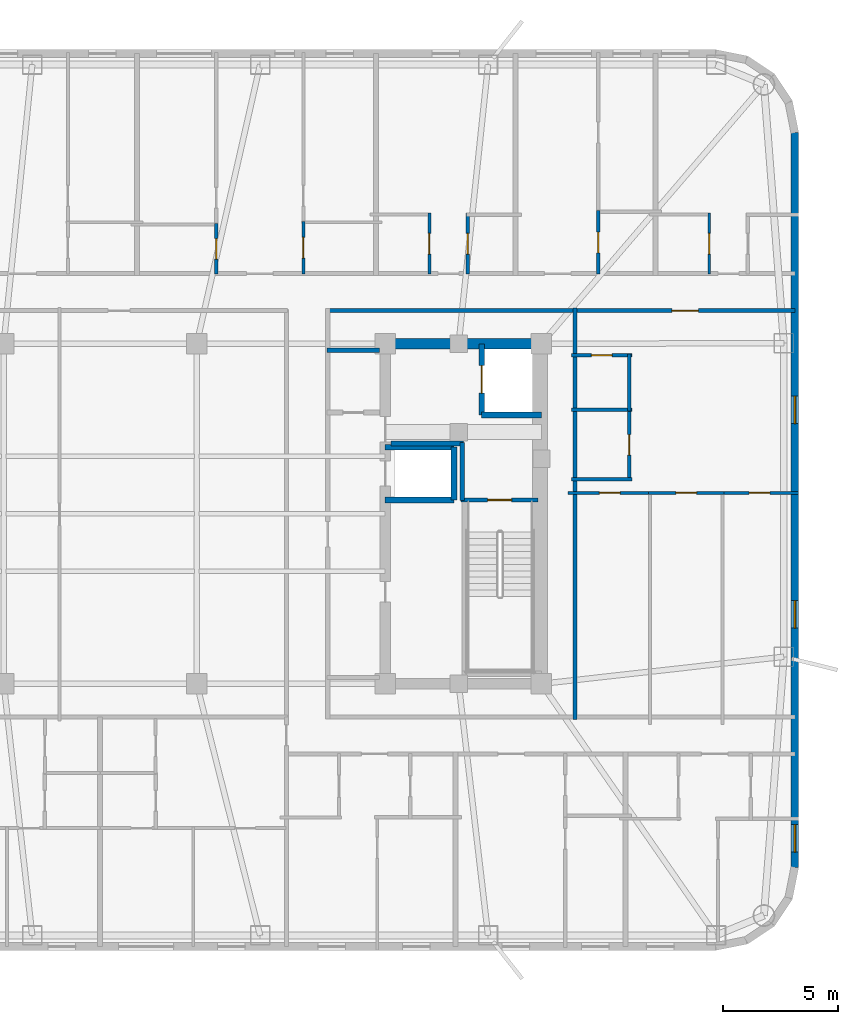
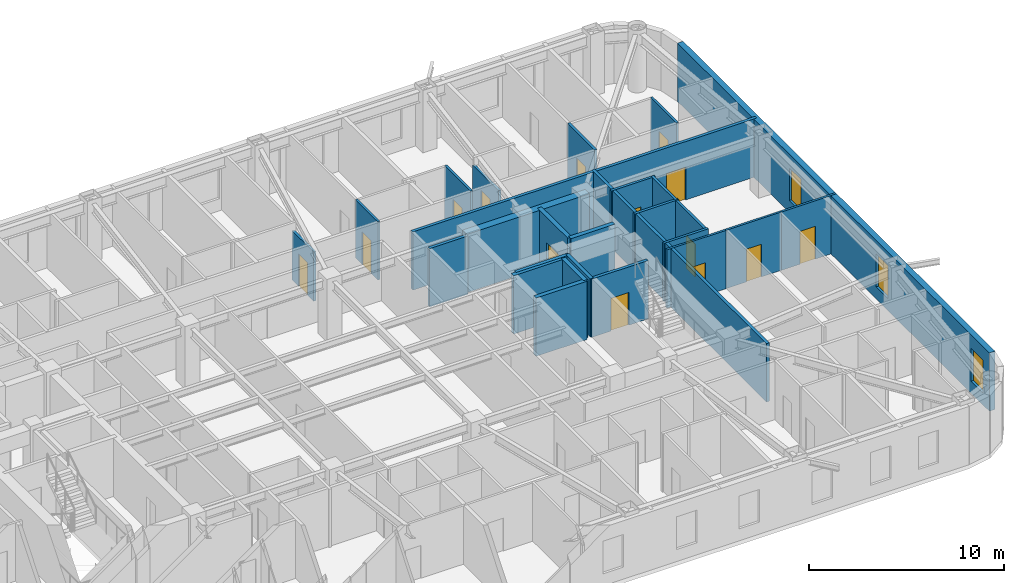
# One storey, part 7 of 11: 27 walls, 14 doors, 3 windows, 17 openings.
"""IFC4 building model written with IfcOpenShell, lengths in metres."""

from ifc_helpers import new_model, si_unit, direction, frame, frame_2d, origin, place, context, subcontext, project, spatial, rectangle, extrude, material, layer, layer_set, type_object, element, fill, save


model = new_model("IFC4")

# Units and contexts
model_context = context("Model", 3, precision=1e-05, world=origin(), true_north=direction((0.0, 1.0)))
body_context = subcontext(model_context, "Body", "Model", "MODEL_VIEW")
ifc_project = project(units=[si_unit("LENGTHUNIT", "METRE"), si_unit("AREAUNIT", "SQUARE_METRE"), si_unit("VOLUMEUNIT", "CUBIC_METRE"), si_unit("PLANEANGLEUNIT", "RADIAN"), si_unit("MASSUNIT", "GRAM", prefix="KILO")], contexts=[model_context])

# Site, building, storey
site_placement = place(None, origin())
site = spatial("IfcSite", under=ifc_project, at=site_placement, CompositionType="ELEMENT")
building_placement = place(site_placement, origin())
building = spatial("IfcBuilding", under=site, at=building_placement, Name="Voryun Gate Residences", CompositionType="ELEMENT")
storey_placement = place(building_placement, frame((0.0, 0.0, 227.5)))
storey = spatial("IfcBuildingStorey", under=building, at=storey_placement, Name="L56", CompositionType="ELEMENT", Elevation=227.5)

# Wall
ifc_material_1 = material(Name="Concrete C50/60", Category="concrete")
ifc_layer_1 = layer(ifc_material_1, 0.449951171875, Name="CW_CORE_450")
ifc_layer_set_1 = layer_set([ifc_layer_1], Name="Concrete C50/60")
wall_type_1 = type_object("IfcWallType", Name="CW_CORE_450", PredefinedType="SHEAR", material=ifc_layer_set_1)
wall_1_placement = place(storey_placement, frame((12.175048828125, 7.39990234375, 0.0), z_axis=(0.0, 0.0, 1.0), x_axis=(1.0, 0.0, 0.0)))
element("IfcWall", 1, at=wall_1_placement, inside=storey, type_object=wall_type_1, Name="L56 Core shear wall CW-L56-EN", PredefinedType="SHEAR", context=body_context, shape_type="SweptSolid", body=[
    extrude(rectangle(XDim=7.25, YDim=0.449951171875, at=frame_2d((3.625, 0.0))), origin(), (0.0, 0.0, 1.0), 3.64990234375),
])

# Wall, opening, door
ifc_material_2 = material(Name="Gypsum acoustic fireboard")
ifc_layer_2 = layer(ifc_material_2, 0.179931640625, Name="W_CORR_RATED_180")
ifc_layer_set_2 = layer_set([ifc_layer_2], Name="Gypsum acoustic fireboard")
wall_type_2 = type_object("IfcWallType", Name="W_CORR_RATED_180", PredefinedType="PARTITIONING", material=ifc_layer_set_2)
wall_2_placement = place(storey_placement, frame((15.699951171875, 0.60009765625, 0.0), z_axis=(0.0, 0.0, 1.0), x_axis=(1.0, 0.0, 0.0)))
wall_2 = element("IfcWall", 2, at=wall_2_placement, inside=storey, type_object=wall_type_2, Name="Partition wall WP-L56-STV-E", PredefinedType="PARTITIONING", context=body_context, shape_type="SweptSolid", body=[
    extrude(rectangle(XDim=3.360107421875, YDim=0.179931640625, at=frame_2d((1.68017578125, 0.0))), origin(), (0.0, 0.0, 1.0), 3.64990234375),
])
opening_1_placement = place(wall_2_placement, frame((1.155029296875, 0.0, 0.0)))
opening_1 = element("IfcOpeningElement", 3, at=opening_1_placement, cuts=wall_2, Name="Opening D-FD60-1", PredefinedType="OPENING", context=body_context, shape_type="SweptSolid", body=[
    extrude(rectangle(XDim=1.050048828125, YDim=2.050048828125, at=frame_2d((0.52490234375, 1.02490234375))), frame((0.0, 0.099853515625, 0.0), z_axis=(0.0, -1.0, 0.0), x_axis=(1.0, 0.0, 0.0)), (0.0, 0.0, 1.0), 0.199951171875),
])
ifc_material_3 = material(Name="Painted steel fire door", Category="steel")
door_type_1 = type_object("IfcDoorType", Name="DR_FD60_STAIR_1050", OperationType="NOTDEFINED", PredefinedType="DOOR", material=ifc_material_3)
door_1_placement = place(opening_1_placement, origin())
door_1 = element("IfcDoor", 4, at=door_1_placement, inside=storey, type_object=door_type_1, Name="Door DR-L56-ST-E", OperationType="SINGLE_SWING_RIGHT", OverallHeight=2.050048828125, OverallWidth=1.050048828125, PredefinedType="DOOR", context=body_context, shape_type="SweptSolid", body=[
    extrude(rectangle(XDim=1.050048828125, YDim=2.050048828125, at=frame_2d((0.52490234375, 1.02490234375))), frame((0.0, 0.02490234375, 0.0), z_axis=(0.0, -1.0, 0.0), x_axis=(1.0, 0.0, 0.0)), (0.0, 0.0, 1.0), 0.050048828125),
])
fill(opening_1, door_1)

# Wall
wall_3_placement = place(storey_placement, frame((9.8798828125, 7.1201171875, 0.0), z_axis=(0.0, 0.0, 1.0), x_axis=(1.0, 0.0, 0.0)))
element("IfcWall", 5, at=wall_3_placement, inside=storey, type_object=wall_type_2, Name="Partition wall WP-L56-PLBN-E", PredefinedType="PARTITIONING", context=body_context, shape_type="SweptSolid", body=[
    extrude(rectangle(XDim=2.27001953125, YDim=0.179931640625, at=frame_2d((1.135009765625, 0.0))), origin(), (0.0, 0.0, 1.0), 3.64990234375),
])

# Wall, opening, door
wall_4_placement = place(storey_placement, frame((9.8798828125, 8.840087890625, 0.0), z_axis=(0.0, 0.0, 1.0), x_axis=(1.0, 0.0, 0.0)))
wall_4 = element("IfcWall", 6, at=wall_4_placement, inside=storey, type_object=wall_type_2, Name="Partition wall WP-L56-CWING-EN", PredefinedType="PARTITIONING", context=body_context, shape_type="SweptSolid", body=[
    extrude(rectangle(XDim=20.35009765625, YDim=0.179931640625, at=frame_2d((10.175048828125, 0.0))), origin(), (0.0, 0.0, 1.0), 3.64990234375),
])
opening_2_placement = place(wall_4_placement, frame((15.0009765625, 0.0, 0.0)))
opening_2 = element("IfcOpeningElement", 7, at=opening_2_placement, cuts=wall_4, Name="Opening D-UNIT-1", PredefinedType="OPENING", context=body_context, shape_type="SweptSolid", body=[
    extrude(rectangle(XDim=1.14990234375, YDim=2.050048828125, at=frame_2d((0.574951171875, 1.02490234375))), frame((0.0, 0.099853515625, 0.0), z_axis=(0.0, -1.0, 0.0), x_axis=(1.0, 0.0, 0.0)), (0.0, 0.0, 1.0), 0.199951171875),
])
ifc_material_4 = material(Name="Armoured timber-clad fire door", Category="wood")
door_type_2 = type_object("IfcDoorType", Name="DR_UNIT_ENTRY_1150", OperationType="NOTDEFINED", PredefinedType="DOOR", material=ifc_material_4)
door_2_placement = place(opening_2_placement, origin())
door_2 = element("IfcDoor", 8, at=door_2_placement, inside=storey, type_object=door_type_2, Name="Door DR-L56-EE1N", OperationType="SINGLE_SWING_LEFT", OverallHeight=2.050048828125, OverallWidth=1.14990234375, PredefinedType="DOOR", context=body_context, shape_type="SweptSolid", body=[
    extrude(rectangle(XDim=1.14990234375, YDim=2.050048828125, at=frame_2d((0.574951171875, 1.02490234375))), frame((0.0, 0.02490234375, 0.0), z_axis=(0.0, -1.0, 0.0), x_axis=(1.0, 0.0, 0.0)), (0.0, 0.0, 1.0), 0.050048828125),
])
fill(opening_2, door_2)

# Wall
wall_5_placement = place(storey_placement, frame((20.669921875, -8.9599609375, 0.0), z_axis=(0.0, 0.0, 1.0), x_axis=(0.0, 1.0, 0.0)))
element("IfcWall", 9, at=wall_5_placement, inside=storey, type_object=wall_type_2, Name="Partition wall WP-L56-ECOR", PredefinedType="PARTITIONING", context=body_context, shape_type="SweptSolid", body=[
    extrude(rectangle(XDim=17.919921875, YDim=0.179931640625, at=frame_2d((8.9599609375, 0.0))), origin(), (0.0, 0.0, 1.0), 3.64990234375),
])

# Wall, openings, windows
ifc_material_5 = material(Name="Charcoal terracotta masonry", Category="masonry")
ifc_layer_3 = layer(ifc_material_5, 0.340087890625, Name="W_EXT_TERRACOTTA_340")
ifc_layer_set_3 = layer_set([ifc_layer_3], Name="Charcoal terracotta masonry")
wall_type_3 = type_object("IfcWallType", Name="W_EXT_TERRACOTTA_340", PredefinedType="ELEMENTEDWALL", material=ifc_layer_set_3)
wall_6_placement = place(storey_placement, frame((30.22998046875, 16.583251953125, 0.0), z_axis=(0.0, 0.0, 1.0), x_axis=(0.0, -1.0, 0.0)))
wall_6 = element("IfcWall", 10, at=wall_6_placement, inside=storey, type_object=wall_type_3, Name="Exterior wall WEXT-L56-16", PredefinedType="ELEMENTEDWALL", context=body_context, shape_type="SweptSolid", body=[
    extrude(rectangle(XDim=31.966552734375, YDim=0.340087890625, at=frame_2d((15.9833984375, 0.0))), origin(), (0.0, 0.0, 1.0), 3.64990234375),
])
opening_3_placement = place(wall_6_placement, frame((30.1064453125, 0.0, 0.75)))
opening_3 = element("IfcOpeningElement", 11, at=opening_3_placement, cuts=wall_6, Name="Opening WN6", PredefinedType="OPENING", context=body_context, shape_type="SweptSolid", body=[
    extrude(rectangle(XDim=1.199951171875, YDim=2.050048828125, at=frame_2d((0.60009765625, 1.02490234375))), frame((0.0, 0.179931640625, 0.0), z_axis=(0.0, -1.0, 0.0), x_axis=(1.0, 0.0, 0.0)), (0.0, 0.0, 1.0), 0.360107421875),
])
opening_4_placement = place(wall_6_placement, frame((11.46337890625, 0.0, 0.75)))
opening_4 = element("IfcOpeningElement", 12, at=opening_4_placement, cuts=wall_6, Name="Opening WN6", PredefinedType="OPENING", context=body_context, shape_type="SweptSolid", body=[
    extrude(rectangle(XDim=1.199951171875, YDim=2.050048828125, at=frame_2d((0.60009765625, 1.02490234375))), frame((0.0, 0.179931640625, 0.0), z_axis=(0.0, -1.0, 0.0), x_axis=(1.0, 0.0, 0.0)), (0.0, 0.0, 1.0), 0.360107421875),
])
opening_5_placement = place(wall_6_placement, frame((20.36328125, 0.0, 0.75)))
opening_5 = element("IfcOpeningElement", 13, at=opening_5_placement, cuts=wall_6, Name="Opening WN6", PredefinedType="OPENING", context=body_context, shape_type="SweptSolid", body=[
    extrude(rectangle(XDim=1.199951171875, YDim=2.050048828125, at=frame_2d((0.60009765625, 1.02490234375))), frame((0.0, 0.179931640625, 0.0), z_axis=(0.0, -1.0, 0.0), x_axis=(1.0, 0.0, 0.0)), (0.0, 0.0, 1.0), 0.360107421875),
])
ifc_material_6 = material(Name="Laminated low-E glass", Category="glass")
window_type = type_object("IfcWindowType", Name="WN_POD_SLOT_1200", PartitioningType="SINGLE_PANEL", PredefinedType="WINDOW", material=ifc_material_6)
window_1_placement = place(opening_3_placement, origin())
window_1 = element("IfcWindow", 14, at=window_1_placement, inside=storey, type_object=window_type, Name="Window WN-L56-DWFIX-22", OverallHeight=2.050048828125, OverallWidth=1.199951171875, PartitioningType="SINGLE_PANEL", PredefinedType="WINDOW", context=body_context, shape_type="SweptSolid", body=[
    extrude(rectangle(XDim=1.199951171875, YDim=2.050048828125, at=frame_2d((0.60009765625, 1.02490234375))), frame((0.0, 0.030029296875, 0.0), z_axis=(0.0, -1.0, 0.0), x_axis=(1.0, 0.0, 0.0)), (0.0, 0.0, 1.0), 0.06005859375),
])
fill(opening_3, window_1)
window_2_placement = place(opening_4_placement, origin())
window_2 = element("IfcWindow", 15, at=window_2_placement, inside=storey, type_object=window_type, Name="Window WN-L56-DWFIX-28", OverallHeight=2.050048828125, OverallWidth=1.199951171875, PartitioningType="SINGLE_PANEL", PredefinedType="WINDOW", context=body_context, shape_type="SweptSolid", body=[
    extrude(rectangle(XDim=1.199951171875, YDim=2.050048828125, at=frame_2d((0.60009765625, 1.02490234375))), frame((0.0, 0.030029296875, 0.0), z_axis=(0.0, -1.0, 0.0), x_axis=(1.0, 0.0, 0.0)), (0.0, 0.0, 1.0), 0.06005859375),
])
fill(opening_4, window_2)
window_3_placement = place(opening_5_placement, origin())
window_3 = element("IfcWindow", 16, at=window_3_placement, inside=storey, type_object=window_type, Name="Window WN-L56-DWFIX-29", OverallHeight=2.050048828125, OverallWidth=1.199951171875, PartitioningType="SINGLE_PANEL", PredefinedType="WINDOW", context=body_context, shape_type="SweptSolid", body=[
    extrude(rectangle(XDim=1.199951171875, YDim=2.050048828125, at=frame_2d((0.60009765625, 1.02490234375))), frame((0.0, 0.030029296875, 0.0), z_axis=(0.0, -1.0, 0.0), x_axis=(1.0, 0.0, 0.0)), (0.0, 0.0, 1.0), 0.06005859375),
])
fill(opening_5, window_3)

# Walls
ifc_material_7 = material(Name="Concrete C40/50", Category="concrete")
ifc_layer_4 = layer(ifc_material_7, 0.199951171875, Name="W_FF_LOBBY_200")
ifc_layer_set_4 = layer_set([ifc_layer_4], Name="Concrete C40/50")
wall_type_4 = type_object("IfcWallType", Name="W_FF_LOBBY_200", PredefinedType="PARTITIONING", material=ifc_layer_set_4)
wall_7_placement = place(storey_placement, frame((15.760009765625, 0.580078125, 0.0), z_axis=(0.0, 0.0, 1.0), x_axis=(0.0, 1.0, 0.0)))
element("IfcWall", 17, at=wall_7_placement, inside=storey, type_object=wall_type_4, Name="Partition wall WP-L56-FFP0-E", PredefinedType="PARTITIONING", context=body_context, shape_type="SweptSolid", body=[
    extrude(rectangle(XDim=2.52001953125, YDim=0.199951171875, at=frame_2d((1.260009765625, 0.0))), origin(), (0.0, 0.0, 1.0), 3.64990234375),
])
wall_8_placement = place(storey_placement, frame((12.659912109375, 3.06005859375, 0.0), z_axis=(0.0, 0.0, 1.0), x_axis=(1.0, 0.0, 0.0)))
element("IfcWall", 18, at=wall_8_placement, inside=storey, type_object=wall_type_4, Name="Partition wall WP-L56-FFPS-E", PredefinedType="PARTITIONING", context=body_context, shape_type="SweptSolid", body=[
    extrude(rectangle(XDim=3.16015625, YDim=0.199951171875, at=frame_2d((1.580078125, 0.0))), origin(), (0.0, 0.0, 1.0), 3.64990234375),
])
ifc_material_8 = material(Name="Concrete C50/60", Category="concrete")
ifc_layer_5 = layer(ifc_material_8, 0.25, Name="W_SHAFT_RC250")
ifc_layer_set_5 = layer_set([ifc_layer_5], Name="Concrete C50/60")
wall_type_5 = type_object("IfcWallType", Name="W_SHAFT_RC250", PredefinedType="SOLIDWALL", material=ifc_layer_set_5)
wall_9_placement = place(storey_placement, frame((16.60009765625, 4.300048828125, 0.0), z_axis=(0.0, 0.0, 1.0), x_axis=(1.0, 0.0, 0.0)))
element("IfcWall", 19, at=wall_9_placement, inside=storey, type_object=wall_type_5, Name="Lift shaft wall WSH-L56-EL-FF-E1-S", PredefinedType="SOLIDWALL", context=body_context, shape_type="SweptSolid", body=[
    extrude(rectangle(XDim=2.599853515625, YDim=0.25, at=frame_2d((1.2998046875, 0.0))), origin(), (0.0, 0.0, 1.0), 3.64990234375),
])

# Wall, opening, door
wall_10_placement = place(storey_placement, frame((16.60009765625, 7.39990234375, 0.0), z_axis=(0.0, 0.0, 1.0), x_axis=(0.0, -1.0, 0.0)))
wall_10 = element("IfcWall", 20, at=wall_10_placement, inside=storey, type_object=wall_type_5, Name="Lift shaft wall WSH-L56-EL-FF-E1-W", PredefinedType="SOLIDWALL", context=body_context, shape_type="SweptSolid", body=[
    extrude(rectangle(XDim=3.099853515625, YDim=0.25, at=frame_2d((1.5498046875, 0.0))), origin(), (0.0, 0.0, 1.0), 3.64990234375),
])
opening_6_placement = place(wall_10_placement, frame((0.949951171875, 0.0, 0.0)))
opening_6 = element("IfcOpeningElement", 21, at=opening_6_placement, cuts=wall_10, Name="Opening LD1", PredefinedType="OPENING", context=body_context, shape_type="SweptSolid", body=[
    extrude(rectangle(XDim=1.199951171875, YDim=2.050048828125, at=frame_2d((0.60009765625, 1.02490234375))), frame((0.0, 0.135009765625, 0.0), z_axis=(0.0, -1.0, 0.0), x_axis=(1.0, 0.0, 0.0)), (0.0, 0.0, 1.0), 0.27001953125),
])
ifc_material_9 = material(Name="Anodised aluminium", Category="aluminium")
door_type_3 = type_object("IfcDoorType", Name="DR_LD_FF_1200", OperationType="NOTDEFINED", PredefinedType="DOOR", material=ifc_material_9)
door_3_placement = place(opening_6_placement, origin())
door_3 = element("IfcDoor", 22, at=door_3_placement, inside=storey, type_object=door_type_3, Name="Lift EL-FF-E1 sliding landing door L56", OperationType="SLIDING_TO_LEFT", OverallHeight=2.050048828125, OverallWidth=1.199951171875, PredefinedType="DOOR", context=body_context, shape_type="SweptSolid", body=[
    extrude(rectangle(XDim=1.199951171875, YDim=2.050048828125, at=frame_2d((0.60009765625, 1.02490234375))), frame((0.0, 0.02490234375, 0.0), z_axis=(0.0, -1.0, 0.0), x_axis=(1.0, 0.0, 0.0)), (0.0, 0.0, 1.0), 0.050048828125),
])
fill(opening_6, door_3)

# Walls
wall_11_placement = place(storey_placement, frame((12.39990234375, 0.60009765625, 0.0), z_axis=(0.0, 0.0, 1.0), x_axis=(1.0, 0.0, 0.0)))
element("IfcWall", 23, at=wall_11_placement, inside=storey, type_object=wall_type_5, Name="Lift shaft wall WSH-L56-EL-P8-S", PredefinedType="SOLIDWALL", context=body_context, shape_type="SweptSolid", body=[
    extrude(rectangle(XDim=3.0, YDim=0.25, at=frame_2d((1.5, 0.0))), origin(), (0.0, 0.0, 1.0), 3.64990234375),
])
wall_12_placement = place(storey_placement, frame((15.39990234375, 0.60009765625, 0.0), z_axis=(0.0, 0.0, 1.0), x_axis=(0.0, 1.0, 0.0)))
element("IfcWall", 24, at=wall_12_placement, inside=storey, type_object=wall_type_5, Name="Lift shaft wall WSH-L56-EL-P8-E", PredefinedType="SOLIDWALL", context=body_context, shape_type="SweptSolid", body=[
    extrude(rectangle(XDim=2.2998046875, YDim=0.25, at=frame_2d((1.14990234375, 0.0))), origin(), (0.0, 0.0, 1.0), 3.64990234375),
])
wall_13_placement = place(storey_placement, frame((15.39990234375, 2.89990234375, 0.0), z_axis=(0.0, 0.0, 1.0), x_axis=(-1.0, 0.0, 0.0)))
element("IfcWall", 25, at=wall_13_placement, inside=storey, type_object=wall_type_5, Name="Lift shaft wall WSH-L56-EL-P8-N", PredefinedType="SOLIDWALL", context=body_context, shape_type="SweptSolid", body=[
    extrude(rectangle(XDim=3.0, YDim=0.25, at=frame_2d((1.5, 0.0))), origin(), (0.0, 0.0, 1.0), 3.64990234375),
])

# Wall, opening, door
ifc_material_10 = material(Name="Gypsum acoustic partition")
ifc_layer_6 = layer(ifc_material_10, 0.125, Name="W_UNIT_PART_125")
ifc_layer_set_6 = layer_set([ifc_layer_6], Name="Gypsum acoustic partition")
wall_type_6 = type_object("IfcWallType", Name="W_UNIT_PART_125", PredefinedType="PARTITIONING", material=ifc_layer_set_6)
wall_14_placement = place(storey_placement, frame((8.840087890625, 10.429931640625, 0.0), z_axis=(0.0, 0.0, 1.0), x_axis=(0.0, 1.0, 0.0)))
wall_14 = element("IfcWall", 26, at=wall_14_placement, inside=storey, type_object=wall_type_6, Name="Partition wall WP-L56-N4-RVX1", PredefinedType="PARTITIONING", context=body_context, shape_type="SweptSolid", body=[
    extrude(rectangle(XDim=2.300048828125, YDim=0.125, at=frame_2d((1.14990234375, 0.0))), origin(), (0.0, 0.0, 1.0), 3.64990234375),
])
opening_7_placement = place(wall_14_placement, frame((0.699951171875, 0.0, 0.0)))
opening_7 = element("IfcOpeningElement", 27, at=opening_7_placement, cuts=wall_14, Name="Opening D-INT-2", PredefinedType="OPENING", context=body_context, shape_type="SweptSolid", body=[
    extrude(rectangle(XDim=0.89990234375, YDim=2.050048828125, at=frame_2d((0.449951171875, 1.02490234375))), frame((0.0, 0.072509765625, 0.0), z_axis=(0.0, -1.0, 0.0), x_axis=(1.0, 0.0, 0.0)), (0.0, 0.0, 1.0), 0.14501953125),
])
ifc_material_11 = material(Name="Architectural oak veneer")
door_type_4 = type_object("IfcDoorType", Name="DR_INT_BATH_900", OperationType="NOTDEFINED", PredefinedType="DOOR", material=ifc_material_11)
door_4_placement = place(opening_7_placement, origin())
door_4 = element("IfcDoor", 28, at=door_4_placement, inside=storey, type_object=door_type_4, Name="Door DR-L56-N4-DK", OperationType="SINGLE_SWING_RIGHT", OverallHeight=2.050048828125, OverallWidth=0.89990234375, PredefinedType="DOOR", context=body_context, shape_type="SweptSolid", body=[
    extrude(rectangle(XDim=0.89990234375, YDim=2.050048828125, at=frame_2d((0.449951171875, 1.02490234375))), frame((0.0, 0.02490234375, 0.0), z_axis=(0.0, -1.0, 0.0), x_axis=(1.0, 0.0, 0.0)), (0.0, 0.0, 1.0), 0.050048828125),
])
fill(opening_7, door_4)

wall_15_placement = place(storey_placement, frame((14.323974609375, 10.429931640625, 0.0), z_axis=(0.0, 0.0, 1.0), x_axis=(0.0, 1.0, 0.0)))
wall_15 = element("IfcWall", 29, at=wall_15_placement, inside=storey, type_object=wall_type_6, Name="Partition wall WP-L56-N5-CVK", PredefinedType="PARTITIONING", context=body_context, shape_type="SweptSolid", body=[
    extrude(rectangle(XDim=2.650146484375, YDim=0.125, at=frame_2d((1.3251953125, 0.0))), origin(), (0.0, 0.0, 1.0), 3.64990234375),
])
opening_8_placement = place(wall_15_placement, frame((0.875, 0.0, 0.0)))
opening_8 = element("IfcOpeningElement", 30, at=opening_8_placement, cuts=wall_15, Name="Opening D-INT-2", PredefinedType="OPENING", context=body_context, shape_type="SweptSolid", body=[
    extrude(rectangle(XDim=0.89990234375, YDim=2.050048828125, at=frame_2d((0.449951171875, 1.02490234375))), frame((0.0, 0.072509765625, 0.0), z_axis=(0.0, -1.0, 0.0), x_axis=(1.0, 0.0, 0.0)), (0.0, 0.0, 1.0), 0.14501953125),
])
door_5_placement = place(opening_8_placement, origin())
door_5 = element("IfcDoor", 31, at=door_5_placement, inside=storey, type_object=door_type_4, Name="Door DR-L56-N5-DK", OperationType="SINGLE_SWING_LEFT", OverallHeight=2.050048828125, OverallWidth=0.89990234375, PredefinedType="DOOR", context=body_context, shape_type="SweptSolid", body=[
    extrude(rectangle(XDim=0.89990234375, YDim=2.050048828125, at=frame_2d((0.449951171875, 1.02490234375))), frame((0.0, 0.02490234375, 0.0), z_axis=(0.0, -1.0, 0.0), x_axis=(1.0, 0.0, 0.0)), (0.0, 0.0, 1.0), 0.050048828125),
])
fill(opening_8, door_5)

wall_16_placement = place(storey_placement, frame((26.5048828125, 10.429931640625, 0.0), z_axis=(0.0, 0.0, 1.0), x_axis=(0.0, 1.0, 0.0)))
wall_16 = element("IfcWall", 32, at=wall_16_placement, inside=storey, type_object=wall_type_6, Name="Partition wall WP-L56-N7-CVK", PredefinedType="PARTITIONING", context=body_context, shape_type="SweptSolid", body=[
    extrude(rectangle(XDim=2.650146484375, YDim=0.125, at=frame_2d((1.3251953125, 0.0))), origin(), (0.0, 0.0, 1.0), 3.64990234375),
])
opening_9_placement = place(wall_16_placement, frame((0.875, 0.0, 0.0)))
opening_9 = element("IfcOpeningElement", 33, at=opening_9_placement, cuts=wall_16, Name="Opening D-INT-2", PredefinedType="OPENING", context=body_context, shape_type="SweptSolid", body=[
    extrude(rectangle(XDim=0.89990234375, YDim=2.050048828125, at=frame_2d((0.449951171875, 1.02490234375))), frame((0.0, 0.072509765625, 0.0), z_axis=(0.0, -1.0, 0.0), x_axis=(1.0, 0.0, 0.0)), (0.0, 0.0, 1.0), 0.14501953125),
])
door_6_placement = place(opening_9_placement, origin())
door_6 = element("IfcDoor", 34, at=door_6_placement, inside=storey, type_object=door_type_4, Name="Door DR-L56-N7-DK", OperationType="SINGLE_SWING_LEFT", OverallHeight=2.050048828125, OverallWidth=0.89990234375, PredefinedType="DOOR", context=body_context, shape_type="SweptSolid", body=[
    extrude(rectangle(XDim=0.89990234375, YDim=2.050048828125, at=frame_2d((0.449951171875, 1.02490234375))), frame((0.0, 0.02490234375, 0.0), z_axis=(0.0, -1.0, 0.0), x_axis=(1.0, 0.0, 0.0)), (0.0, 0.0, 1.0), 0.050048828125),
])
fill(opening_9, door_6)

wall_17_placement = place(storey_placement, frame((20.35009765625, 0.909912109375, 0.0), z_axis=(0.0, 0.0, 1.0), x_axis=(1.0, 0.0, 0.0)))
wall_17 = element("IfcWall", 35, at=wall_17_placement, inside=storey, type_object=wall_type_6, Name="Partition wall WP-L56-E1-HZMB1", PredefinedType="PARTITIONING", context=body_context, shape_type="SweptSolid", body=[
    extrude(rectangle(XDim=3.635498046875, YDim=0.125, at=frame_2d((1.81787109375, 0.0))), origin(), (0.0, 0.0, 1.0), 3.64990234375),
])
opening_10_placement = place(wall_17_placement, frame((1.37646484375, 0.0, 0.0)))
opening_10 = element("IfcOpeningElement", 36, at=opening_10_placement, cuts=wall_17, Name="Opening D-INT-2", PredefinedType="OPENING", context=body_context, shape_type="SweptSolid", body=[
    extrude(rectangle(XDim=0.89990234375, YDim=2.050048828125, at=frame_2d((0.449951171875, 1.02490234375))), frame((0.0, 0.072509765625, 0.0), z_axis=(0.0, -1.0, 0.0), x_axis=(1.0, 0.0, 0.0)), (0.0, 0.0, 1.0), 0.14501953125),
])
door_7_placement = place(opening_10_placement, origin())
door_7 = element("IfcDoor", 37, at=door_7_placement, inside=storey, type_object=door_type_4, Name="Door DR-L56-E1-DMB", OperationType="SINGLE_SWING_LEFT", OverallHeight=2.050048828125, OverallWidth=0.89990234375, PredefinedType="DOOR", context=body_context, shape_type="SweptSolid", body=[
    extrude(rectangle(XDim=0.89990234375, YDim=2.050048828125, at=frame_2d((0.449951171875, 1.02490234375))), frame((0.0, 0.02490234375, 0.0), z_axis=(0.0, -1.0, 0.0), x_axis=(1.0, 0.0, 0.0)), (0.0, 0.0, 1.0), 0.050048828125),
])
fill(opening_10, door_7)

wall_18_placement = place(storey_placement, frame((23.860595703125, 0.909912109375, 0.0), z_axis=(0.0, 0.0, 1.0), x_axis=(1.0, 0.0, 0.0)))
wall_18 = element("IfcWall", 38, at=wall_18_placement, inside=storey, type_object=wall_type_6, Name="Partition wall WP-L56-E1-HZMB2", PredefinedType="PARTITIONING", context=body_context, shape_type="SweptSolid", body=[
    extrude(rectangle(XDim=3.281982421875, YDim=0.125, at=frame_2d((1.64111328125, 0.0))), origin(), (0.0, 0.0, 1.0), 3.64990234375),
])
opening_11_placement = place(wall_18_placement, frame((1.19091796875, 0.0, 0.0)))
opening_11 = element("IfcOpeningElement", 39, at=opening_11_placement, cuts=wall_18, Name="Opening D-INT-2", PredefinedType="OPENING", context=body_context, shape_type="SweptSolid", body=[
    extrude(rectangle(XDim=0.89990234375, YDim=2.050048828125, at=frame_2d((0.449951171875, 1.02490234375))), frame((0.0, 0.072509765625, 0.0), z_axis=(0.0, -1.0, 0.0), x_axis=(1.0, 0.0, 0.0)), (0.0, 0.0, 1.0), 0.14501953125),
])
door_8_placement = place(opening_11_placement, origin())
door_8 = element("IfcDoor", 40, at=door_8_placement, inside=storey, type_object=door_type_4, Name="Door DR-L56-E1-DBD2", OperationType="SINGLE_SWING_RIGHT", OverallHeight=2.050048828125, OverallWidth=0.89990234375, PredefinedType="DOOR", context=body_context, shape_type="SweptSolid", body=[
    extrude(rectangle(XDim=0.89990234375, YDim=2.050048828125, at=frame_2d((0.449951171875, 1.02490234375))), frame((0.0, 0.02490234375, 0.0), z_axis=(0.0, -1.0, 0.0), x_axis=(1.0, 0.0, 0.0)), (0.0, 0.0, 1.0), 0.050048828125),
])
fill(opening_11, door_8)

wall_19_placement = place(storey_placement, frame((27.017578125, 0.909912109375, 0.0), z_axis=(0.0, 0.0, 1.0), x_axis=(1.0, 0.0, 0.0)))
wall_19 = element("IfcWall", 41, at=wall_19_placement, inside=storey, type_object=wall_type_6, Name="Partition wall WP-L56-E1-HZMB3", PredefinedType="PARTITIONING", context=body_context, shape_type="SweptSolid", body=[
    extrude(rectangle(XDim=3.3623046875, YDim=0.125, at=frame_2d((1.68115234375, 0.0))), origin(), (0.0, 0.0, 1.0), 3.64990234375),
])
opening_12_placement = place(wall_19_placement, frame((1.222412109375, 0.0, 0.0)))
opening_12 = element("IfcOpeningElement", 42, at=opening_12_placement, cuts=wall_19, Name="Opening D-INT-2", PredefinedType="OPENING", context=body_context, shape_type="SweptSolid", body=[
    extrude(rectangle(XDim=0.89990234375, YDim=2.050048828125, at=frame_2d((0.449951171875, 1.02490234375))), frame((0.0, 0.072509765625, 0.0), z_axis=(0.0, -1.0, 0.0), x_axis=(1.0, 0.0, 0.0)), (0.0, 0.0, 1.0), 0.14501953125),
])
door_9_placement = place(opening_12_placement, origin())
door_9 = element("IfcDoor", 43, at=door_9_placement, inside=storey, type_object=door_type_4, Name="Door DR-L56-E1-DBD3", OperationType="SINGLE_SWING_LEFT", OverallHeight=2.050048828125, OverallWidth=0.89990234375, PredefinedType="DOOR", context=body_context, shape_type="SweptSolid", body=[
    extrude(rectangle(XDim=0.89990234375, YDim=2.050048828125, at=frame_2d((0.449951171875, 1.02490234375))), frame((0.0, 0.02490234375, 0.0), z_axis=(0.0, -1.0, 0.0), x_axis=(1.0, 0.0, 0.0)), (0.0, 0.0, 1.0), 0.050048828125),
])
fill(opening_12, door_9)

ifc_material_12 = material(Name="Gypsum moisture-resistant partition")
ifc_layer_7 = layer(ifc_material_12, 0.14990234375, Name="W_WET_PLUMB_150")
ifc_layer_set_7 = layer_set([ifc_layer_7], Name="Gypsum moisture-resistant partition")
wall_type_7 = type_object("IfcWallType", Name="W_WET_PLUMB_150", PredefinedType="PLUMBINGWALL", material=ifc_layer_set_7)
wall_20_placement = place(storey_placement, frame((5.052001953125, 10.429931640625, 0.0), z_axis=(0.0, 0.0, 1.0), x_axis=(0.0, 1.0, 0.0)))
wall_20 = element("IfcWall", 44, at=wall_20_placement, inside=storey, type_object=wall_type_7, Name="Partition wall WP-L56-N4-LVX1", PredefinedType="PLUMBINGWALL", context=body_context, shape_type="SweptSolid", body=[
    extrude(rectangle(XDim=2.199951171875, YDim=0.14990234375, at=frame_2d((1.10009765625, 0.0))), origin(), (0.0, 0.0, 1.0), 3.090087890625),
])
opening_13_placement = place(wall_20_placement, frame((0.64990234375, 0.0, 0.0)))
opening_13 = element("IfcOpeningElement", 45, at=opening_13_placement, cuts=wall_20, Name="Opening D-INT-2", PredefinedType="OPENING", context=body_context, shape_type="SweptSolid", body=[
    extrude(rectangle(XDim=0.89990234375, YDim=2.050048828125, at=frame_2d((0.449951171875, 1.02490234375))), frame((0.0, 0.0849609375, 0.0), z_axis=(0.0, -1.0, 0.0), x_axis=(1.0, 0.0, 0.0)), (0.0, 0.0, 1.0), 0.169921875),
])
door_10_placement = place(opening_13_placement, origin())
door_10 = element("IfcDoor", 46, at=door_10_placement, inside=storey, type_object=door_type_4, Name="Door DR-L56-N4-DB", OperationType="SINGLE_SWING_LEFT", OverallHeight=2.050048828125, OverallWidth=0.89990234375, PredefinedType="DOOR", context=body_context, shape_type="SweptSolid", body=[
    extrude(rectangle(XDim=0.89990234375, YDim=2.050048828125, at=frame_2d((0.449951171875, 1.02490234375))), frame((0.0, 0.02490234375, 0.0), z_axis=(0.0, -1.0, 0.0), x_axis=(1.0, 0.0, 0.0)), (0.0, 0.0, 1.0), 0.050048828125),
])
fill(opening_13, door_10)

wall_21_placement = place(storey_placement, frame((15.992919921875, 10.429931640625, 0.0), z_axis=(0.0, 0.0, 1.0), x_axis=(0.0, 1.0, 0.0)))
wall_21 = element("IfcWall", 47, at=wall_21_placement, inside=storey, type_object=wall_type_7, Name="Partition wall WP-L56-N5-CVB", PredefinedType="PLUMBINGWALL", context=body_context, shape_type="SweptSolid", body=[
    extrude(rectangle(XDim=2.650146484375, YDim=0.14990234375, at=frame_2d((1.3251953125, 0.0))), origin(), (0.0, 0.0, 1.0), 3.090087890625),
])
opening_14_placement = place(wall_21_placement, frame((0.875, 0.0, 0.0)))
opening_14 = element("IfcOpeningElement", 48, at=opening_14_placement, cuts=wall_21, Name="Opening D-INT-2", PredefinedType="OPENING", context=body_context, shape_type="SweptSolid", body=[
    extrude(rectangle(XDim=0.89990234375, YDim=2.050048828125, at=frame_2d((0.449951171875, 1.02490234375))), frame((0.0, 0.0849609375, 0.0), z_axis=(0.0, -1.0, 0.0), x_axis=(1.0, 0.0, 0.0)), (0.0, 0.0, 1.0), 0.169921875),
])
door_11_placement = place(opening_14_placement, origin())
door_11 = element("IfcDoor", 49, at=door_11_placement, inside=storey, type_object=door_type_4, Name="Door DR-L56-N5-DB", OperationType="SINGLE_SWING_RIGHT", OverallHeight=2.050048828125, OverallWidth=0.89990234375, PredefinedType="DOOR", context=body_context, shape_type="SweptSolid", body=[
    extrude(rectangle(XDim=0.89990234375, YDim=2.050048828125, at=frame_2d((0.449951171875, 1.02490234375))), frame((0.0, 0.02490234375, 0.0), z_axis=(0.0, -1.0, 0.0), x_axis=(1.0, 0.0, 0.0)), (0.0, 0.0, 1.0), 0.050048828125),
])
fill(opening_14, door_11)

wall_22_placement = place(storey_placement, frame((21.673095703125, 10.429931640625, 0.0), z_axis=(0.0, 0.0, 1.0), x_axis=(0.0, 1.0, 0.0)))
wall_22 = element("IfcWall", 50, at=wall_22_placement, inside=storey, type_object=wall_type_7, Name="Partition wall WP-L56-N6-SVT1", PredefinedType="PLUMBINGWALL", context=body_context, shape_type="SweptSolid", body=[
    extrude(rectangle(XDim=2.760009765625, YDim=0.14990234375, at=frame_2d((1.3798828125, 0.0))), origin(), (0.0, 0.0, 1.0), 3.64990234375),
])
opening_15_placement = place(wall_22_placement, frame((0.929931640625, 0.0, 0.0)))
opening_15 = element("IfcOpeningElement", 51, at=opening_15_placement, cuts=wall_22, Name="Opening D-INT-2", PredefinedType="OPENING", context=body_context, shape_type="SweptSolid", body=[
    extrude(rectangle(XDim=0.89990234375, YDim=2.050048828125, at=frame_2d((0.449951171875, 1.02490234375))), frame((0.0, 0.0849609375, 0.0), z_axis=(0.0, -1.0, 0.0), x_axis=(1.0, 0.0, 0.0)), (0.0, 0.0, 1.0), 0.169921875),
])
door_12_placement = place(opening_15_placement, origin())
door_12 = element("IfcDoor", 52, at=door_12_placement, inside=storey, type_object=door_type_4, Name="Door DR-L56-N6-DB", OperationType="SINGLE_SWING_LEFT", OverallHeight=2.050048828125, OverallWidth=0.89990234375, PredefinedType="DOOR", context=body_context, shape_type="SweptSolid", body=[
    extrude(rectangle(XDim=0.89990234375, YDim=2.050048828125, at=frame_2d((0.449951171875, 1.02490234375))), frame((0.0, 0.02490234375, 0.0), z_axis=(0.0, -1.0, 0.0), x_axis=(1.0, 0.0, 0.0)), (0.0, 0.0, 1.0), 0.050048828125),
])
fill(opening_15, door_12)

wall_23_placement = place(storey_placement, frame((20.52001953125, 6.89990234375, 0.0), z_axis=(0.0, 0.0, 1.0), x_axis=(1.0, 0.0, 0.0)))
wall_23 = element("IfcWall", 53, at=wall_23_placement, inside=storey, type_object=wall_type_7, Name="Partition wall WP-L56-E1-IBT", PredefinedType="PLUMBINGWALL", context=body_context, shape_type="SweptSolid", body=[
    extrude(rectangle(XDim=2.619873046875, YDim=0.14990234375, at=frame_2d((1.31005859375, 0.0))), origin(), (0.0, 0.0, 1.0), 3.64990234375),
])
opening_16_placement = place(wall_23_placement, frame((0.860107421875, 0.0, 0.0)))
opening_16 = element("IfcOpeningElement", 54, at=opening_16_placement, cuts=wall_23, Name="Opening D-INT-2", PredefinedType="OPENING", context=body_context, shape_type="SweptSolid", body=[
    extrude(rectangle(XDim=0.89990234375, YDim=2.050048828125, at=frame_2d((0.449951171875, 1.02490234375))), frame((0.0, 0.0849609375, 0.0), z_axis=(0.0, -1.0, 0.0), x_axis=(1.0, 0.0, 0.0)), (0.0, 0.0, 1.0), 0.169921875),
])
door_13_placement = place(opening_16_placement, origin())
door_13 = element("IfcDoor", 55, at=door_13_placement, inside=storey, type_object=door_type_4, Name="Door DR-L56-E1-DK", OperationType="SINGLE_SWING_LEFT", OverallHeight=2.050048828125, OverallWidth=0.89990234375, PredefinedType="DOOR", context=body_context, shape_type="SweptSolid", body=[
    extrude(rectangle(XDim=0.89990234375, YDim=2.050048828125, at=frame_2d((0.449951171875, 1.02490234375))), frame((0.0, 0.02490234375, 0.0), z_axis=(0.0, -1.0, 0.0), x_axis=(1.0, 0.0, 0.0)), (0.0, 0.0, 1.0), 0.050048828125),
])
fill(opening_16, door_13)

# Walls
for number, where, z_axis, x_axis, name in (
    (56, (20.52001953125, 4.52001953125, 0.0), (0.0, 0.0, 1.0), (1.0, 0.0, 0.0), "Partition wall WP-L56-E1-IKB"),
    (57, (20.52001953125, 1.5, 0.0), (0.0, 0.0, 1.0), (1.0, 0.0, 0.0), "Partition wall WP-L56-E1-IBB"),
):
    element("IfcWall", number, at=place(storey_placement, frame(where, z_axis=z_axis, x_axis=x_axis)), inside=storey, type_object=wall_type_7, Name=name, PredefinedType="PLUMBINGWALL", context=body_context, shape_type="SweptSolid", body=[
        extrude(rectangle(XDim=2.619873046875, YDim=0.14990234375, at=frame_2d((1.31005859375, 0.0))), origin(), (0.0, 0.0, 1.0), 3.64990234375),
    ])

# Wall, opening, door
wall_24_placement = place(storey_placement, frame((23.02001953125, 1.43994140625, 0.0), z_axis=(0.0, 0.0, 1.0), x_axis=(0.0, 1.0, 0.0)))
wall_24 = element("IfcWall", 58, at=wall_24_placement, inside=storey, type_object=wall_type_7, Name="Partition wall WP-L56-E1-VTSK1", PredefinedType="PLUMBINGWALL", context=body_context, shape_type="SweptSolid", body=[
    extrude(rectangle(XDim=3.1201171875, YDim=0.14990234375, at=frame_2d((1.56005859375, 0.0))), origin(), (0.0, 0.0, 1.0), 3.64990234375),
])
opening_17_placement = place(wall_24_placement, frame((1.110107421875, 0.0, 0.0)))
opening_17 = element("IfcOpeningElement", 59, at=opening_17_placement, cuts=wall_24, Name="Opening D-INT-2", PredefinedType="OPENING", context=body_context, shape_type="SweptSolid", body=[
    extrude(rectangle(XDim=0.89990234375, YDim=2.050048828125, at=frame_2d((0.449951171875, 1.02490234375))), frame((0.0, 0.0849609375, 0.0), z_axis=(0.0, -1.0, 0.0), x_axis=(1.0, 0.0, 0.0)), (0.0, 0.0, 1.0), 0.169921875),
])
door_14_placement = place(opening_17_placement, origin())
door_14 = element("IfcDoor", 60, at=door_14_placement, inside=storey, type_object=door_type_4, Name="Door DR-L56-E1-DB", OperationType="SINGLE_SWING_RIGHT", OverallHeight=2.050048828125, OverallWidth=0.89990234375, PredefinedType="DOOR", context=body_context, shape_type="SweptSolid", body=[
    extrude(rectangle(XDim=0.89990234375, YDim=2.050048828125, at=frame_2d((0.449951171875, 1.02490234375))), frame((0.0, 0.02490234375, 0.0), z_axis=(0.0, -1.0, 0.0), x_axis=(1.0, 0.0, 0.0)), (0.0, 0.0, 1.0), 0.050048828125),
])
fill(opening_17, door_14)

# Wall
wall_25_placement = place(storey_placement, frame((23.02001953125, 4.47998046875, 0.0), z_axis=(0.0, 0.0, 1.0), x_axis=(0.0, 1.0, 0.0)))
element("IfcWall", 61, at=wall_25_placement, inside=storey, type_object=wall_type_7, Name="Partition wall WP-L56-E1-VTSK2", PredefinedType="PLUMBINGWALL", context=body_context, shape_type="SweptSolid", body=[
    extrude(rectangle(XDim=2.47998046875, YDim=0.14990234375, at=frame_2d((1.239990234375, 0.0))), origin(), (0.0, 0.0, 1.0), 3.64990234375),
])

save(model, "model.ifc")
